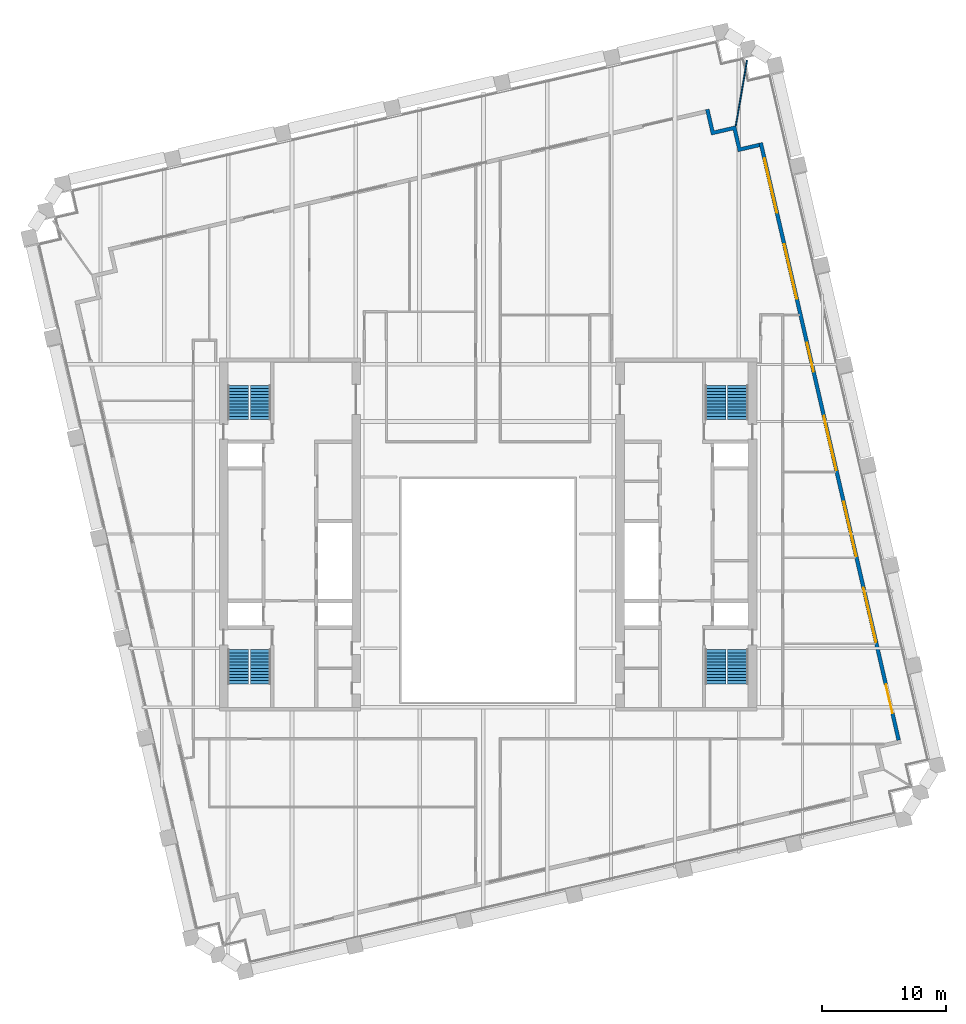
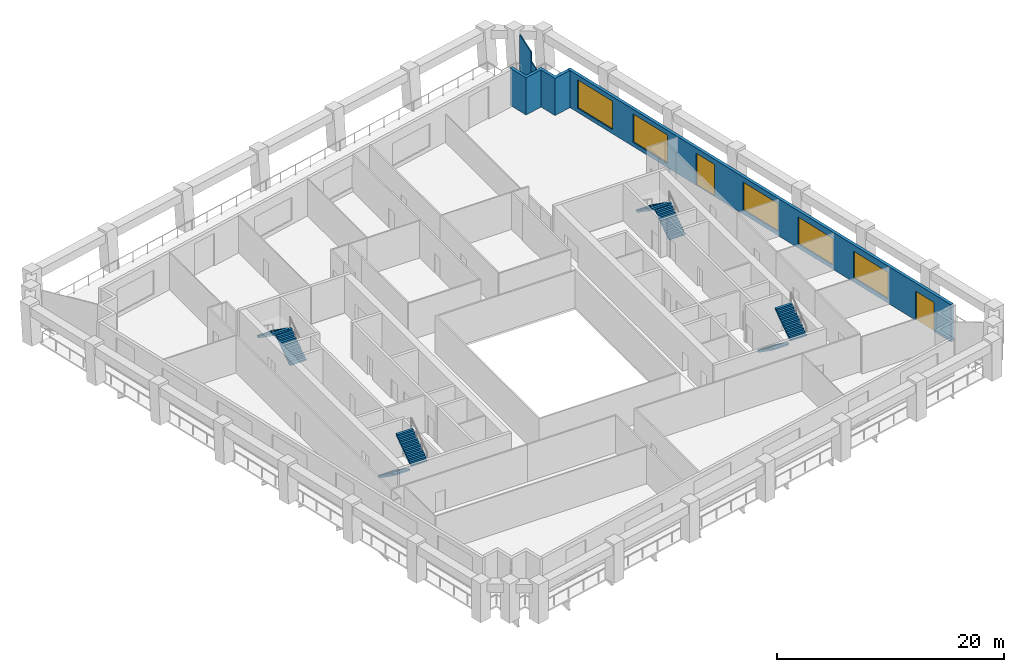
# One storey, part 8 of 10: 8 stair flights, 5 windows, 4 walls, 2 doors, 7 openings, 4 elements without a shape of their own.
"""IFC4 building model written with IfcOpenShell, lengths in metres."""

from ifc_helpers import new_model, si_unit, direction, frame, frame_2d, origin, place, context, subcontext, project, spatial, polyline, rectangle, outline, extrude, material, layer, layer_set, type_object, element, fill, aggregate, save


model = new_model("IFC4")

# Units and contexts
model_context = context("Model", 3, precision=1e-05, world=origin(), true_north=direction((0.0, 1.0)))
body_context = subcontext(model_context, "Body", "Model", "MODEL_VIEW")
ifc_project = project(units=[si_unit("LENGTHUNIT", "METRE"), si_unit("AREAUNIT", "SQUARE_METRE"), si_unit("VOLUMEUNIT", "CUBIC_METRE"), si_unit("PLANEANGLEUNIT", "RADIAN"), si_unit("MASSUNIT", "GRAM", prefix="KILO")], contexts=[model_context])

# Site, building, storey
site_placement = place(None, origin())
site = spatial("IfcSite", under=ifc_project, at=site_placement, CompositionType="ELEMENT")
building_placement = place(site_placement, origin())
building = spatial("IfcBuilding", under=site, at=building_placement, Name="Ogive Exchange Tower", CompositionType="ELEMENT")
storey_placement = place(building_placement, frame((0.0, 0.0, 205.199951171875)))
storey = spatial("IfcBuildingStorey", under=building, at=storey_placement, Name="L45", CompositionType="ELEMENT", Elevation=205.199951171875)

# Wall, openings, doors, windows
ifc_material_1 = material(Name="Precast concrete C40/50", Category="concrete")
ifc_layer_1 = layer(ifc_material_1, 0.300048828125)
ifc_layer_set_1 = layer_set([ifc_layer_1], Name="Limestone-faced wall 300")
wall_type_1 = type_object("IfcWallType", Name="Limestone-faced wall 300", PredefinedType="STANDARD", material=ifc_layer_set_1)
wall_1_placement = place(storey_placement, frame((33.1572265625, -5.092041015625, 0.0), z_axis=(0.0, 0.0, 1.0), x_axis=(-0.224950279389, 0.974370243697, 0.0)))
wall_1 = element("IfcWall", 1, at=wall_1_placement, inside=storey, type_object=wall_type_1, Name="External wall E2", PredefinedType="STANDARD", context=body_context, shape_type="SweptSolid", body=[
    extrude(rectangle(XDim=49.499755859375, YDim=0.300048828125, at=frame_2d((24.75, 0.0))), origin(), (0.0, 0.0, 1.0), 4.0),
])
opening_1_placement = place(wall_1_placement, frame((2.20703125, 0.0, 0.0)))
opening_1 = element("IfcOpeningElement", 2, at=opening_1_placement, cuts=wall_1, Name="Opening D1J", PredefinedType="OPENING", context=body_context, shape_type="SweptSolid", body=[
    extrude(rectangle(XDim=2.39990234375, YDim=3.125, at=frame_2d((1.199951171875, 1.5625))), frame((0.0, 0.159912109375, 0.0), z_axis=(0.0, -1.0, 0.0), x_axis=(1.0, 0.0, 0.0)), (0.0, 0.0, 1.0), 0.320068359375),
])
opening_2_placement = place(wall_1_placement, frame((8.121337890625, 0.0, 0.449951171875)))
opening_2 = element("IfcOpeningElement", 3, at=opening_2_placement, cuts=wall_1, Name="Opening W1D", PredefinedType="OPENING", context=body_context, shape_type="SweptSolid", body=[
    extrude(rectangle(XDim=4.5, YDim=2.875, at=frame_2d((2.25, 1.4375))), frame((0.0, 0.159912109375, 0.0), z_axis=(0.0, -1.0, 0.0), x_axis=(1.0, 0.0, 0.0)), (0.0, 0.0, 1.0), 0.320068359375),
])
opening_3_placement = place(wall_1_placement, frame((15.235595703125, 0.0, 0.449951171875)))
opening_3 = element("IfcOpeningElement", 4, at=opening_3_placement, cuts=wall_1, Name="Opening W1D", PredefinedType="OPENING", context=body_context, shape_type="SweptSolid", body=[
    extrude(rectangle(XDim=4.5, YDim=2.875, at=frame_2d((2.25, 1.4375))), frame((0.0, 0.159912109375, 0.0), z_axis=(0.0, -1.0, 0.0), x_axis=(1.0, 0.0, 0.0)), (0.0, 0.0, 1.0), 0.320068359375),
])
opening_4_placement = place(wall_1_placement, frame((22.35009765625, 0.0, 0.449951171875)))
opening_4 = element("IfcOpeningElement", 5, at=opening_4_placement, cuts=wall_1, Name="Opening W1A", PredefinedType="OPENING", context=body_context, shape_type="SweptSolid", body=[
    extrude(rectangle(XDim=4.5, YDim=3.0, at=frame_2d((2.25, 1.5))), frame((0.0, 0.159912109375, 0.0), z_axis=(0.0, -1.0, 0.0), x_axis=(1.0, 0.0, 0.0)), (0.0, 0.0, 1.0), 0.320068359375),
])
opening_5_placement = place(wall_1_placement, frame((30.51416015625, 0.0, 0.0)))
opening_5 = element("IfcOpeningElement", 6, at=opening_5_placement, cuts=wall_1, Name="Opening D1A", PredefinedType="OPENING", context=body_context, shape_type="SweptSolid", body=[
    extrude(rectangle(XDim=2.39990234375, YDim=3.449951171875, at=frame_2d((1.199951171875, 1.72509765625))), frame((0.0, 0.159912109375, 0.0), z_axis=(0.0, -1.0, 0.0), x_axis=(1.0, 0.0, 0.0)), (0.0, 0.0, 1.0), 0.320068359375),
])
opening_6_placement = place(wall_1_placement, frame((36.57861328125, 0.0, 0.449951171875)))
opening_6 = element("IfcOpeningElement", 7, at=opening_6_placement, cuts=wall_1, Name="Opening W1", PredefinedType="OPENING", context=body_context, shape_type="SweptSolid", body=[
    extrude(rectangle(XDim=4.5, YDim=3.050048828125, at=frame_2d((2.25, 1.52490234375))), frame((0.0, 0.159912109375, 0.0), z_axis=(0.0, -1.0, 0.0), x_axis=(1.0, 0.0, 0.0)), (0.0, 0.0, 1.0), 0.320068359375),
])
opening_7_placement = place(wall_1_placement, frame((43.69287109375, 0.0, 0.449951171875)))
opening_7 = element("IfcOpeningElement", 8, at=opening_7_placement, cuts=wall_1, Name="Opening W1", PredefinedType="OPENING", context=body_context, shape_type="SweptSolid", body=[
    extrude(rectangle(XDim=4.5, YDim=3.050048828125, at=frame_2d((2.25, 1.52490234375))), frame((0.0, 0.159912109375, 0.0), z_axis=(0.0, -1.0, 0.0), x_axis=(1.0, 0.0, 0.0)), (0.0, 0.0, 1.0), 0.320068359375),
])
ifc_material_2 = material(Name="Clear glass in bronze frame", Category="glass")
door_type_1 = type_object("IfcDoorType", Name="Sliding loggia door 2400 x 3125", OperationType="DOUBLE_DOOR_SLIDING", PredefinedType="DOOR", material=ifc_material_2)
door_1_placement = place(opening_1_placement, origin())
door_1 = element("IfcDoor", 9, at=door_1_placement, inside=storey, type_object=door_type_1, Name="Loggia door E00", OperationType="DOUBLE_DOOR_SLIDING", OverallHeight=3.125, OverallWidth=2.39990234375, PredefinedType="DOOR", context=body_context, shape_type="SweptSolid", body=[
    extrude(rectangle(XDim=2.39990234375, YDim=3.125, at=frame_2d((1.199951171875, 1.5625))), frame((0.0, 0.02490234375, 0.0), z_axis=(0.0, -1.0, 0.0), x_axis=(1.0, 0.0, 0.0)), (0.0, 0.0, 1.0), 0.050048828125),
])
fill(opening_1, door_1)
door_type_2 = type_object("IfcDoorType", Name="Sliding loggia door 2400 x 3450", OperationType="DOUBLE_DOOR_SLIDING", PredefinedType="DOOR", material=ifc_material_2)
door_2_placement = place(opening_5_placement, origin())
door_2 = element("IfcDoor", 10, at=door_2_placement, inside=storey, type_object=door_type_2, Name="Loggia door E04", OperationType="DOUBLE_DOOR_SLIDING", OverallHeight=3.449951171875, OverallWidth=2.39990234375, PredefinedType="DOOR", context=body_context, shape_type="SweptSolid", body=[
    extrude(rectangle(XDim=2.39990234375, YDim=3.449951171875, at=frame_2d((1.199951171875, 1.72509765625))), frame((0.0, 0.02490234375, 0.0), z_axis=(0.0, -1.0, 0.0), x_axis=(1.0, 0.0, 0.0)), (0.0, 0.0, 1.0), 0.050048828125),
])
fill(opening_5, door_2)
window_type_1 = type_object("IfcWindowType", Name="Twin lancet window 4500 x 2875", PartitioningType="DOUBLE_PANEL_VERTICAL", PredefinedType="WINDOW", material=ifc_material_2)
window_1_placement = place(opening_2_placement, origin())
window_1 = element("IfcWindow", 11, at=window_1_placement, inside=storey, type_object=window_type_1, Name="Window E01", OverallHeight=2.875, OverallWidth=4.5, PartitioningType="DOUBLE_PANEL_VERTICAL", PredefinedType="WINDOW", context=body_context, shape_type="SweptSolid", body=[
    extrude(rectangle(XDim=4.5, YDim=2.875, at=frame_2d((2.25, 1.4375))), frame((0.0, 0.030029296875, 0.0), z_axis=(0.0, -1.0, 0.0), x_axis=(1.0, 0.0, 0.0)), (0.0, 0.0, 1.0), 0.06005859375),
])
fill(opening_2, window_1)
window_2_placement = place(opening_3_placement, origin())
window_2 = element("IfcWindow", 12, at=window_2_placement, inside=storey, type_object=window_type_1, Name="Window E02", OverallHeight=2.875, OverallWidth=4.5, PartitioningType="DOUBLE_PANEL_VERTICAL", PredefinedType="WINDOW", context=body_context, shape_type="SweptSolid", body=[
    extrude(rectangle(XDim=4.5, YDim=2.875, at=frame_2d((2.25, 1.4375))), frame((0.0, 0.030029296875, 0.0), z_axis=(0.0, -1.0, 0.0), x_axis=(1.0, 0.0, 0.0)), (0.0, 0.0, 1.0), 0.06005859375),
])
fill(opening_3, window_2)
window_type_2 = type_object("IfcWindowType", Name="Twin lancet window 4500 x 3000", PartitioningType="DOUBLE_PANEL_VERTICAL", PredefinedType="WINDOW", material=ifc_material_2)
window_3_placement = place(opening_4_placement, origin())
window_3 = element("IfcWindow", 13, at=window_3_placement, inside=storey, type_object=window_type_2, Name="Window E03", OverallHeight=3.0, OverallWidth=4.5, PartitioningType="DOUBLE_PANEL_VERTICAL", PredefinedType="WINDOW", context=body_context, shape_type="SweptSolid", body=[
    extrude(rectangle(XDim=4.5, YDim=3.0, at=frame_2d((2.25, 1.5))), frame((0.0, 0.030029296875, 0.0), z_axis=(0.0, -1.0, 0.0), x_axis=(1.0, 0.0, 0.0)), (0.0, 0.0, 1.0), 0.06005859375),
])
fill(opening_4, window_3)
window_type_3 = type_object("IfcWindowType", Name="Twin lancet window 4500 x 3050", PartitioningType="DOUBLE_PANEL_VERTICAL", PredefinedType="WINDOW", material=ifc_material_2)
window_4_placement = place(opening_6_placement, origin())
window_4 = element("IfcWindow", 14, at=window_4_placement, inside=storey, type_object=window_type_3, Name="Window E05", OverallHeight=3.050048828125, OverallWidth=4.5, PartitioningType="DOUBLE_PANEL_VERTICAL", PredefinedType="WINDOW", context=body_context, shape_type="SweptSolid", body=[
    extrude(rectangle(XDim=4.5, YDim=3.050048828125, at=frame_2d((2.25, 1.52490234375))), frame((0.0, 0.030029296875, 0.0), z_axis=(0.0, -1.0, 0.0), x_axis=(1.0, 0.0, 0.0)), (0.0, 0.0, 1.0), 0.06005859375),
])
fill(opening_6, window_4)
window_5_placement = place(opening_7_placement, origin())
window_5 = element("IfcWindow", 15, at=window_5_placement, inside=storey, type_object=window_type_3, Name="Window E06", OverallHeight=3.050048828125, OverallWidth=4.5, PartitioningType="DOUBLE_PANEL_VERTICAL", PredefinedType="WINDOW", context=body_context, shape_type="SweptSolid", body=[
    extrude(rectangle(XDim=4.5, YDim=3.050048828125, at=frame_2d((2.25, 1.52490234375))), frame((0.0, 0.030029296875, 0.0), z_axis=(0.0, -1.0, 0.0), x_axis=(1.0, 0.0, 0.0)), (0.0, 0.0, 1.0), 0.06005859375),
])
fill(opening_7, window_5)

# Walls
wall_2_placement = place(storey_placement, origin())
element("IfcWall", 16, at=wall_2_placement, inside=storey, type_object=wall_type_1, Name="External corner wall C2", PredefinedType="STANDARD", context=body_context, shape_type="SweptSolid", body=[
    extrude(outline(polyline([(19.78466796875, 44.162109375), (18.03076171875, 43.757080078125), (17.558349609375, 45.80322265625), (17.8505859375, 45.870849609375), (18.255615234375, 44.116943359375), (20.009521484375, 44.52197265625), (20.414306640625, 42.76806640625), (21.8759765625, 43.10546875), (21.943359375, 42.81298828125), (20.189697265625, 42.408203125), (19.78466796875, 44.162109375)])), origin(), (0.0, 0.0, 1.0), 4.0),
])
ifc_material_3 = material(Name="Laminated safety glass in steel frame", Category="steel")
ifc_layer_2 = layer(ifc_material_3, 0.10009765625)
ifc_layer_set_2 = layer_set([ifc_layer_2], Name="Loggia end screen 100")
wall_type_2 = type_object("IfcWallType", Name="Loggia end screen 100", PredefinedType="STANDARD", material=ifc_layer_set_2)
wall_3_placement = place(storey_placement, frame((20.009521484375, 44.52197265625, -0.050048828125), z_axis=(0.0, 0.0, 1.0), x_axis=(0.169059801073, 0.985605795266, 0.0)))
element("IfcWall", 17, at=wall_3_placement, inside=storey, type_object=wall_type_2, Name="Loggia end screen C2", PredefinedType="STANDARD", context=body_context, shape_type="SweptSolid", body=[
    extrude(rectangle(XDim=2.470947265625, YDim=0.10009765625, at=frame_2d((1.2353515625, 0.0))), origin(), (0.0, 0.0, 1.0), 3.070068359375),
])
wall_4_placement = place(storey_placement, frame((20.42724609375, 46.957275390625, -0.050048828125), z_axis=(0.0, 0.0, 1.0), x_axis=(0.169072398407, 0.985603634377, 0.0)))
element("IfcWall", 18, at=wall_4_placement, inside=storey, type_object=wall_type_2, Name="Loggia end screen C2", PredefinedType="STANDARD", context=body_context, shape_type="SweptSolid", body=[
    extrude(rectangle(XDim=2.87060546875, YDim=0.10009765625, at=frame_2d((1.435302734375, 0.0))), origin(), (0.0, 0.0, 1.0), 4.050048828125),
])

# Stair, stair flights
ifc_material_4 = material(Name="Concrete C40/50", Category="concrete")
stair_type = type_object("IfcStairType", Name="Exit stair 1650 wide", PredefinedType="HALF_TURN_STAIR", material=ifc_material_4)
stair_1_placement = place(storey_placement, origin())
stair_1 = element("IfcStair", 19, at=stair_1_placement, inside=storey, type_object=stair_type, Name="L45 exit stair ST1", PredefinedType="HALF_TURN_STAIR")
stair_flight_type = type_object("IfcStairFlightType", Name="Stair flight 1650 wide", PredefinedType="STRAIGHT", material=ifc_material_4)
stair_flight_1_placement = place(storey_placement, frame((-20.175048828125, 2.199951171875, 0.0), z_axis=(0.0, 0.0, 1.0), x_axis=(0.0, -1.0, 0.0)))
stair_flight_1 = element("IfcStairFlight", 20, at=stair_flight_1_placement, type_object=stair_flight_type, Name="ST1 flight 1", NumberOfRisers=12, NumberOfTreads=11, PredefinedType="STRAIGHT", RiserHeight=0.175, TreadLength=0.25, context=body_context, shape_type="SweptSolid", body=[
    extrude(outline(polyline([(0.0, 0.0), (0.0, 0.175048828125), (0.25, 0.175048828125), (0.25, 0.35009765625), (0.5, 0.35009765625), (0.5, 0.52490234375), (0.75, 0.52490234375), (0.75, 0.699951171875), (1.0, 0.699951171875), (1.0, 0.875), (1.25, 0.875), (1.25, 1.050048828125), (1.5, 1.050048828125), (1.5, 1.22509765625), (1.75, 1.22509765625), (1.75, 1.39990234375), (2.0, 1.39990234375), (2.0, 1.574951171875), (2.25, 1.574951171875), (2.25, 1.75), (2.5, 1.75), (2.5, 1.925048828125), (2.75, 1.925048828125), (2.75, 2.10009765625), (2.75, 1.741943359375), (0.261474609375, 0.0), (0.0, 0.0)])), frame((0.0, 0.824951171875, 0.0), z_axis=(0.0, -1.0, 0.0), x_axis=(1.0, 0.0, 0.0)), (0.0, 0.0, 1.0), 1.64990234375),
])
stair_flight_2_placement = place(storey_placement, frame((-18.375, -0.550048828125, 2.10009765625), z_axis=(0.0, 0.0, 1.0), x_axis=(0.0, 1.0, 0.0)))
stair_flight_2 = element("IfcStairFlight", 21, at=stair_flight_2_placement, type_object=stair_flight_type, Name="ST1 flight 2", NumberOfRisers=12, NumberOfTreads=11, PredefinedType="STRAIGHT", RiserHeight=0.175, TreadLength=0.25, context=body_context, shape_type="SweptSolid", body=[
    extrude(outline(polyline([(0.0, 0.0), (0.0, 0.175048828125), (0.25, 0.175048828125), (0.25, 0.35009765625), (0.5, 0.35009765625), (0.5, 0.52490234375), (0.75, 0.52490234375), (0.75, 0.699951171875), (1.0, 0.699951171875), (1.0, 0.875), (1.25, 0.875), (1.25, 1.050048828125), (1.5, 1.050048828125), (1.5, 1.22509765625), (1.75, 1.22509765625), (1.75, 1.39990234375), (2.0, 1.39990234375), (2.0, 1.574951171875), (2.25, 1.574951171875), (2.25, 1.75), (2.5, 1.75), (2.5, 1.925048828125), (2.75, 1.925048828125), (2.75, 2.10009765625), (2.75, 1.741943359375), (0.261474609375, 0.0), (0.0, 0.0)])), frame((0.0, 0.824951171875, 0.0), z_axis=(0.0, -1.0, 0.0), x_axis=(1.0, 0.0, 0.0)), (0.0, 0.0, 1.0), 1.64990234375),
])
aggregate(stair_1, [stair_flight_1, stair_flight_2])

stair_2_placement = place(storey_placement, origin())
stair_2 = element("IfcStair", 22, at=stair_2_placement, inside=storey, type_object=stair_type, Name="L45 exit stair ST2", PredefinedType="HALF_TURN_STAIR")
stair_flight_3_placement = place(storey_placement, frame((-18.375, 20.800048828125, 0.0), z_axis=(0.0, 0.0, 1.0), x_axis=(0.0, 1.0, 0.0)))
stair_flight_3 = element("IfcStairFlight", 23, at=stair_flight_3_placement, type_object=stair_flight_type, Name="ST2 flight 1", NumberOfRisers=12, NumberOfTreads=11, PredefinedType="STRAIGHT", RiserHeight=0.175, TreadLength=0.25, context=body_context, shape_type="SweptSolid", body=[
    extrude(outline(polyline([(0.0, 0.0), (0.0, 0.175048828125), (0.25, 0.175048828125), (0.25, 0.35009765625), (0.5, 0.35009765625), (0.5, 0.52490234375), (0.75, 0.52490234375), (0.75, 0.699951171875), (1.0, 0.699951171875), (1.0, 0.875), (1.25, 0.875), (1.25, 1.050048828125), (1.5, 1.050048828125), (1.5, 1.22509765625), (1.75, 1.22509765625), (1.75, 1.39990234375), (2.0, 1.39990234375), (2.0, 1.574951171875), (2.25, 1.574951171875), (2.25, 1.75), (2.5, 1.75), (2.5, 1.925048828125), (2.75, 1.925048828125), (2.75, 2.10009765625), (2.75, 1.741943359375), (0.261474609375, 0.0), (0.0, 0.0)])), frame((0.0, 0.824951171875, 0.0), z_axis=(0.0, -1.0, 0.0), x_axis=(1.0, 0.0, 0.0)), (0.0, 0.0, 1.0), 1.64990234375),
])
stair_flight_4_placement = place(storey_placement, frame((-20.175048828125, 23.550048828125, 2.10009765625), z_axis=(0.0, 0.0, 1.0), x_axis=(0.0, -1.0, 0.0)))
stair_flight_4 = element("IfcStairFlight", 24, at=stair_flight_4_placement, type_object=stair_flight_type, Name="ST2 flight 2", NumberOfRisers=12, NumberOfTreads=11, PredefinedType="STRAIGHT", RiserHeight=0.175, TreadLength=0.25, context=body_context, shape_type="SweptSolid", body=[
    extrude(outline(polyline([(0.0, 0.0), (0.0, 0.175048828125), (0.25, 0.175048828125), (0.25, 0.35009765625), (0.5, 0.35009765625), (0.5, 0.52490234375), (0.75, 0.52490234375), (0.75, 0.699951171875), (1.0, 0.699951171875), (1.0, 0.875), (1.25, 0.875), (1.25, 1.050048828125), (1.5, 1.050048828125), (1.5, 1.22509765625), (1.75, 1.22509765625), (1.75, 1.39990234375), (2.0, 1.39990234375), (2.0, 1.574951171875), (2.25, 1.574951171875), (2.25, 1.75), (2.5, 1.75), (2.5, 1.925048828125), (2.75, 1.925048828125), (2.75, 2.10009765625), (2.75, 1.741943359375), (0.261474609375, 0.0), (0.0, 0.0)])), frame((0.0, 0.824951171875, 0.0), z_axis=(0.0, -1.0, 0.0), x_axis=(1.0, 0.0, 0.0)), (0.0, 0.0, 1.0), 1.64990234375),
])
aggregate(stair_2, [stair_flight_3, stair_flight_4])

stair_3_placement = place(storey_placement, origin())
stair_3 = element("IfcStair", 25, at=stair_3_placement, inside=storey, type_object=stair_type, Name="L45 exit stair ST3", PredefinedType="HALF_TURN_STAIR")
stair_flight_5_placement = place(storey_placement, frame((18.375, 2.199951171875, 0.0), z_axis=(0.0, 0.0, 1.0), x_axis=(0.0, -1.0, 0.0)))
stair_flight_5 = element("IfcStairFlight", 26, at=stair_flight_5_placement, type_object=stair_flight_type, Name="ST3 flight 1", NumberOfRisers=12, NumberOfTreads=11, PredefinedType="STRAIGHT", RiserHeight=0.175, TreadLength=0.25, context=body_context, shape_type="SweptSolid", body=[
    extrude(outline(polyline([(0.0, 0.0), (0.0, 0.175048828125), (0.25, 0.175048828125), (0.25, 0.35009765625), (0.5, 0.35009765625), (0.5, 0.52490234375), (0.75, 0.52490234375), (0.75, 0.699951171875), (1.0, 0.699951171875), (1.0, 0.875), (1.25, 0.875), (1.25, 1.050048828125), (1.5, 1.050048828125), (1.5, 1.22509765625), (1.75, 1.22509765625), (1.75, 1.39990234375), (2.0, 1.39990234375), (2.0, 1.574951171875), (2.25, 1.574951171875), (2.25, 1.75), (2.5, 1.75), (2.5, 1.925048828125), (2.75, 1.925048828125), (2.75, 2.10009765625), (2.75, 1.741943359375), (0.261474609375, 0.0), (0.0, 0.0)])), frame((0.0, 0.824951171875, 0.0), z_axis=(0.0, -1.0, 0.0), x_axis=(1.0, 0.0, 0.0)), (0.0, 0.0, 1.0), 1.64990234375),
])
stair_flight_6_placement = place(storey_placement, frame((20.175048828125, -0.550048828125, 2.10009765625), z_axis=(0.0, 0.0, 1.0), x_axis=(0.0, 1.0, 0.0)))
stair_flight_6 = element("IfcStairFlight", 27, at=stair_flight_6_placement, type_object=stair_flight_type, Name="ST3 flight 2", NumberOfRisers=12, NumberOfTreads=11, PredefinedType="STRAIGHT", RiserHeight=0.175, TreadLength=0.25, context=body_context, shape_type="SweptSolid", body=[
    extrude(outline(polyline([(0.0, 0.0), (0.0, 0.175048828125), (0.25, 0.175048828125), (0.25, 0.35009765625), (0.5, 0.35009765625), (0.5, 0.52490234375), (0.75, 0.52490234375), (0.75, 0.699951171875), (1.0, 0.699951171875), (1.0, 0.875), (1.25, 0.875), (1.25, 1.050048828125), (1.5, 1.050048828125), (1.5, 1.22509765625), (1.75, 1.22509765625), (1.75, 1.39990234375), (2.0, 1.39990234375), (2.0, 1.574951171875), (2.25, 1.574951171875), (2.25, 1.75), (2.5, 1.75), (2.5, 1.925048828125), (2.75, 1.925048828125), (2.75, 2.10009765625), (2.75, 1.741943359375), (0.261474609375, 0.0), (0.0, 0.0)])), frame((0.0, 0.824951171875, 0.0), z_axis=(0.0, -1.0, 0.0), x_axis=(1.0, 0.0, 0.0)), (0.0, 0.0, 1.0), 1.64990234375),
])
aggregate(stair_3, [stair_flight_5, stair_flight_6])

stair_4_placement = place(storey_placement, origin())
stair_4 = element("IfcStair", 28, at=stair_4_placement, inside=storey, type_object=stair_type, Name="L45 exit stair ST4", PredefinedType="HALF_TURN_STAIR")
stair_flight_7_placement = place(storey_placement, frame((20.175048828125, 20.800048828125, 0.0), z_axis=(0.0, 0.0, 1.0), x_axis=(0.0, 1.0, 0.0)))
stair_flight_7 = element("IfcStairFlight", 29, at=stair_flight_7_placement, type_object=stair_flight_type, Name="ST4 flight 1", NumberOfRisers=12, NumberOfTreads=11, PredefinedType="STRAIGHT", RiserHeight=0.175, TreadLength=0.25, context=body_context, shape_type="SweptSolid", body=[
    extrude(outline(polyline([(0.0, 0.0), (0.0, 0.175048828125), (0.25, 0.175048828125), (0.25, 0.35009765625), (0.5, 0.35009765625), (0.5, 0.52490234375), (0.75, 0.52490234375), (0.75, 0.699951171875), (1.0, 0.699951171875), (1.0, 0.875), (1.25, 0.875), (1.25, 1.050048828125), (1.5, 1.050048828125), (1.5, 1.22509765625), (1.75, 1.22509765625), (1.75, 1.39990234375), (2.0, 1.39990234375), (2.0, 1.574951171875), (2.25, 1.574951171875), (2.25, 1.75), (2.5, 1.75), (2.5, 1.925048828125), (2.75, 1.925048828125), (2.75, 2.10009765625), (2.75, 1.741943359375), (0.261474609375, 0.0), (0.0, 0.0)])), frame((0.0, 0.824951171875, 0.0), z_axis=(0.0, -1.0, 0.0), x_axis=(1.0, 0.0, 0.0)), (0.0, 0.0, 1.0), 1.64990234375),
])
stair_flight_8_placement = place(storey_placement, frame((18.375, 23.550048828125, 2.10009765625), z_axis=(0.0, 0.0, 1.0), x_axis=(0.0, -1.0, 0.0)))
stair_flight_8 = element("IfcStairFlight", 30, at=stair_flight_8_placement, type_object=stair_flight_type, Name="ST4 flight 2", NumberOfRisers=12, NumberOfTreads=11, PredefinedType="STRAIGHT", RiserHeight=0.175, TreadLength=0.25, context=body_context, shape_type="SweptSolid", body=[
    extrude(outline(polyline([(0.0, 0.0), (0.0, 0.175048828125), (0.25, 0.175048828125), (0.25, 0.35009765625), (0.5, 0.35009765625), (0.5, 0.52490234375), (0.75, 0.52490234375), (0.75, 0.699951171875), (1.0, 0.699951171875), (1.0, 0.875), (1.25, 0.875), (1.25, 1.050048828125), (1.5, 1.050048828125), (1.5, 1.22509765625), (1.75, 1.22509765625), (1.75, 1.39990234375), (2.0, 1.39990234375), (2.0, 1.574951171875), (2.25, 1.574951171875), (2.25, 1.75), (2.5, 1.75), (2.5, 1.925048828125), (2.75, 1.925048828125), (2.75, 2.10009765625), (2.75, 1.741943359375), (0.261474609375, 0.0), (0.0, 0.0)])), frame((0.0, 0.824951171875, 0.0), z_axis=(0.0, -1.0, 0.0), x_axis=(1.0, 0.0, 0.0)), (0.0, 0.0, 1.0), 1.64990234375),
])
aggregate(stair_4, [stair_flight_7, stair_flight_8])

save(model, "model.ifc")
